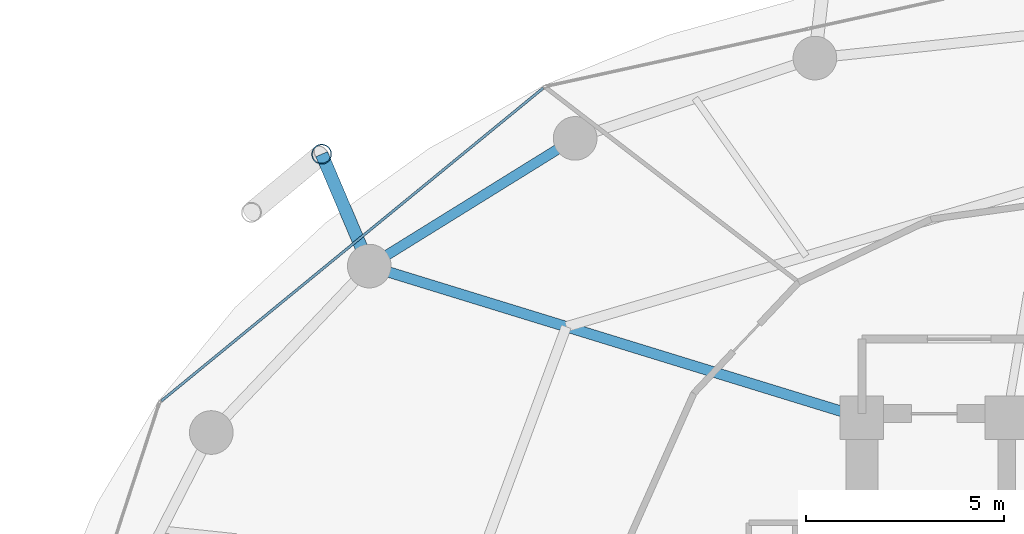
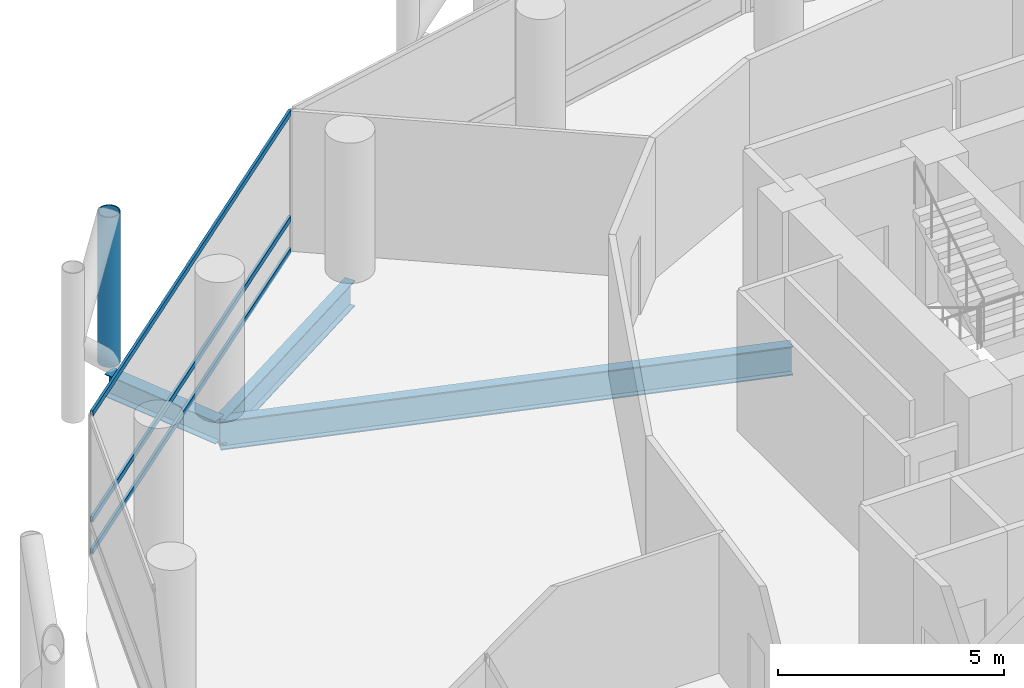
# One storey, part 14 of 24: 4 members, 3 beams, 1 element without a shape of its own.
"""IFC4 building model written with IfcOpenShell, lengths in metres."""

from ifc_helpers import new_model, si_unit, direction, frame, origin, origin_2d, place, context, subcontext, project, spatial, hollow_rectangle, hollow_circle, i_section, extrude, material, layer, layer_set, material_profile, profile_set, type_object, element, aggregate, save


model = new_model("IFC4")

# Units and contexts
model_context = context("Model", 3, precision=1e-05, world=origin(), true_north=direction((0.0, 1.0)))
body_context = subcontext(model_context, "Body", "Model", "MODEL_VIEW")
ifc_project = project(units=[si_unit("LENGTHUNIT", "METRE"), si_unit("AREAUNIT", "SQUARE_METRE"), si_unit("VOLUMEUNIT", "CUBIC_METRE"), si_unit("PLANEANGLEUNIT", "RADIAN"), si_unit("MASSUNIT", "GRAM", prefix="KILO")], contexts=[model_context])

# Site, building, storey
site_placement = place(None, origin())
site = spatial("IfcSite", under=ifc_project, at=site_placement, CompositionType="ELEMENT")
building_placement = place(site_placement, origin())
building = spatial("IfcBuilding", under=site, at=building_placement, Name="Nuhasar Tower", CompositionType="ELEMENT")
storey_placement = place(building_placement, frame((0.0, 0.0, 37.199951171875)))
storey = spatial("IfcBuildingStorey", under=building, at=storey_placement, Name="L08", CompositionType="ELEMENT", Elevation=37.199951171875)

# Beams
ifc_material_1 = material(Name="Steel S355", Category="steel")
ifc_material_profile_1 = material_profile(ifc_material_1, i_section(OverallWidth=0.26611328125, OverallDepth=0.779052734375, WebThickness=0.0166015625, FlangeThickness=0.030029296875, at=origin_2d()), Name="W30X148")
ifc_profile_set_1 = profile_set([ifc_material_profile_1], Name="Steel S355")
beam_type_1 = type_object("IfcBeamType", Name="BM-RAD-W30X148", PredefinedType="BEAM", material=ifc_profile_set_1)
beam_1_placement = place(storey_placement, frame((33.699951171875, 37.300048828125, -0.64990234375), z_axis=(-0.955789576103, 0.294051502653, 0.0), x_axis=(-0.294051502653, -0.955789576103, 0.0)))
element("IfcBeam", 1, at=beam_1_placement, inside=storey, type_object=beam_type_1, Name="L08 Radial Floor Girder 07", PredefinedType="BEAM", context=body_context, shape_type="SweptSolid", body=[
    extrude(i_section(OverallWidth=0.26611328125, OverallDepth=0.779052734375, WebThickness=0.0166015625, FlangeThickness=0.030029296875, at=origin_2d()), origin(), (0.0, 0.0, 1.0), 12.987060546875),
])
ifc_material_profile_2 = material_profile(ifc_material_1, i_section(OverallWidth=0.256103515625, OverallDepth=0.693115234375, WebThickness=0.014404296875, FlangeThickness=0.023681640625, at=origin_2d()), Name="W27X114")
ifc_profile_set_2 = profile_set([ifc_material_profile_2], Name="Steel S355")
beam_type_2 = type_object("IfcBeamType", Name="BM-RING-W27X114", PredefinedType="SPANDREL", material=ifc_profile_set_2)
beam_2_placement = place(storey_placement, frame((26.47509765625, 44.3369140625, -0.60693359375), z_axis=(-0.849795216549, -0.527112976439, 0.0), x_axis=(0.527112976439, -0.849795216549, 0.0)))
element("IfcBeam", 2, at=beam_2_placement, inside=storey, type_object=beam_type_2, Name="L08 Perimeter Ring Spandrel 09", PredefinedType="SPANDREL", context=body_context, shape_type="SweptSolid", body=[
    extrude(i_section(OverallWidth=0.256103515625, OverallDepth=0.693115234375, WebThickness=0.014404296875, FlangeThickness=0.023681640625, at=origin_2d()), origin(), (0.0, 0.0, 1.0), 6.10498046875),
])
ifc_material_profile_3 = material_profile(ifc_material_1, i_section(OverallWidth=0.323974609375, OverallDepth=0.611083984375, WebThickness=0.0126953125, FlangeThickness=0.01904296875, at=origin_2d()), Name="W24X104")
ifc_profile_set_3 = profile_set([ifc_material_profile_3], Name="Steel S355")
beam_type_3 = type_object("IfcBeamType", Name="BM-TIE-W24X104", PredefinedType="BEAM", material=ifc_profile_set_3)
beam_3_placement = place(storey_placement, frame((21.287109375, 41.118896484375, -0.56591796875), z_axis=(-0.391601084021, 0.920135093882, 0.0), x_axis=(-0.920135093882, -0.391601084021, 0.0)))
element("IfcBeam", 3, at=beam_3_placement, inside=storey, type_object=beam_type_3, Name="L08 Exoskeleton Node Tie Beam 05", PredefinedType="BEAM", context=body_context, shape_type="SweptSolid", body=[
    extrude(i_section(OverallWidth=0.323974609375, OverallDepth=0.611083984375, WebThickness=0.0126953125, FlangeThickness=0.01904296875, at=origin_2d()), origin(), (0.0, 0.0, 1.0), 3.06494140625),
])

# Curtain wall, members
ifc_material_2 = material(Name="Aluminium 6063-T6", Category="aluminium")
ifc_layer = layer(ifc_material_2, 0.199951171875)
ifc_layer_set = layer_set([ifc_layer], Name="Aluminium 6063-T6")
curtain_wall_type = type_object("IfcCurtainWallType", Name="CW-Z1-OFF", PredefinedType="NOTDEFINED", material=ifc_layer_set)
curtain_wall_placement = place(storey_placement, origin())
curtain_wall = element("IfcCurtainWall", 4, at=curtain_wall_placement, inside=storey, type_object=curtain_wall_type, Name="L08 Unitised Curtain Wall 05", PredefinedType="NOTDEFINED")
ifc_material_profile_4 = material_profile(ifc_material_2, hollow_rectangle(XDim=0.06494140625, YDim=0.14990234375, WallThickness=0.00439453125, at=origin_2d()), Name="CWT-2")
ifc_profile_set_4 = profile_set([ifc_material_profile_4], Name="Aluminium 6063-T6")
member_type_1 = type_object("IfcMemberType", Name="CW-TRN-S2", PredefinedType="USERDEFINED", material=ifc_profile_set_4)
member_1_placement = place(storey_placement, frame((25.669677734375, 45.603759765625, 0.032470703125), z_axis=(-0.773540851599, -0.633746440548, 0.0), x_axis=(0.633746440548, -0.773540851599, 0.0)))
member_1 = element("IfcMember", 5, at=member_1_placement, type_object=member_type_1, Name="CW-Z1 transom 1.1", ObjectType="TRANSOM", PredefinedType="USERDEFINED", context=body_context, shape_type="SweptSolid", body=[
    extrude(hollow_rectangle(XDim=0.06494140625, YDim=0.14990234375, WallThickness=0.00439453125, at=origin_2d()), origin(), (0.0, 0.0, 1.0), 12.43798828125),
])
member_2_placement = place(storey_placement, frame((25.669677734375, 45.603759765625, 0.900146484375), z_axis=(-0.773540851599, -0.633746440548, 0.0), x_axis=(0.633746440548, -0.773540851599, 0.0)))
member_2 = element("IfcMember", 6, at=member_2_placement, type_object=member_type_1, Name="CW-Z1 transom 1.2", ObjectType="TRANSOM", PredefinedType="USERDEFINED", context=body_context, shape_type="SweptSolid", body=[
    extrude(hollow_rectangle(XDim=0.06494140625, YDim=0.14990234375, WallThickness=0.00439453125, at=origin_2d()), origin(), (0.0, 0.0, 1.0), 12.43798828125),
])
member_3_placement = place(storey_placement, frame((25.669677734375, 45.603759765625, 3.757568359375), z_axis=(-0.773540851599, -0.633746440548, 0.0), x_axis=(0.633746440548, -0.773540851599, 0.0)))
member_3 = element("IfcMember", 7, at=member_3_placement, type_object=member_type_1, Name="CW-Z1 transom 1.3", ObjectType="TRANSOM", PredefinedType="USERDEFINED", context=body_context, shape_type="SweptSolid", body=[
    extrude(hollow_rectangle(XDim=0.06494140625, YDim=0.14990234375, WallThickness=0.00439453125, at=origin_2d()), origin(), (0.0, 0.0, 1.0), 12.43798828125),
])
aggregate(curtain_wall, [member_1, member_2, member_3])

# Member
ifc_material_3 = material(Name="Steel S460", Category="steel")
ifc_material_profile_5 = material_profile(ifc_material_3, hollow_circle(Radius=0.25390625, WallThickness=0.025390625, at=origin_2d()), Name="HSS508X25.4")
ifc_profile_set_5 = profile_set([ifc_material_profile_5], Name="Steel S460")
member_type_2 = type_object("IfcMemberType", Name="EXO-BRONZE-508", PredefinedType="BRACE", material=ifc_profile_set_5)
member_4_placement = place(storey_placement, frame((20.0869140625, 43.93896484375, 0.0), z_axis=(0.0, 0.0, 1.0), x_axis=(1.0, 0.0, 0.0)))
element("IfcMember", 8, at=member_4_placement, inside=storey, type_object=member_type_2, Name="L08 Exoskeleton Chord Column EC-05A", PredefinedType="BRACE", context=body_context, shape_type="SweptSolid", body=[
    extrude(hollow_circle(Radius=0.25390625, WallThickness=0.025390625, at=origin_2d()), origin(), (0.0, 0.0, 1.0), 4.050048828125),
])

save(model, "model.ifc")
